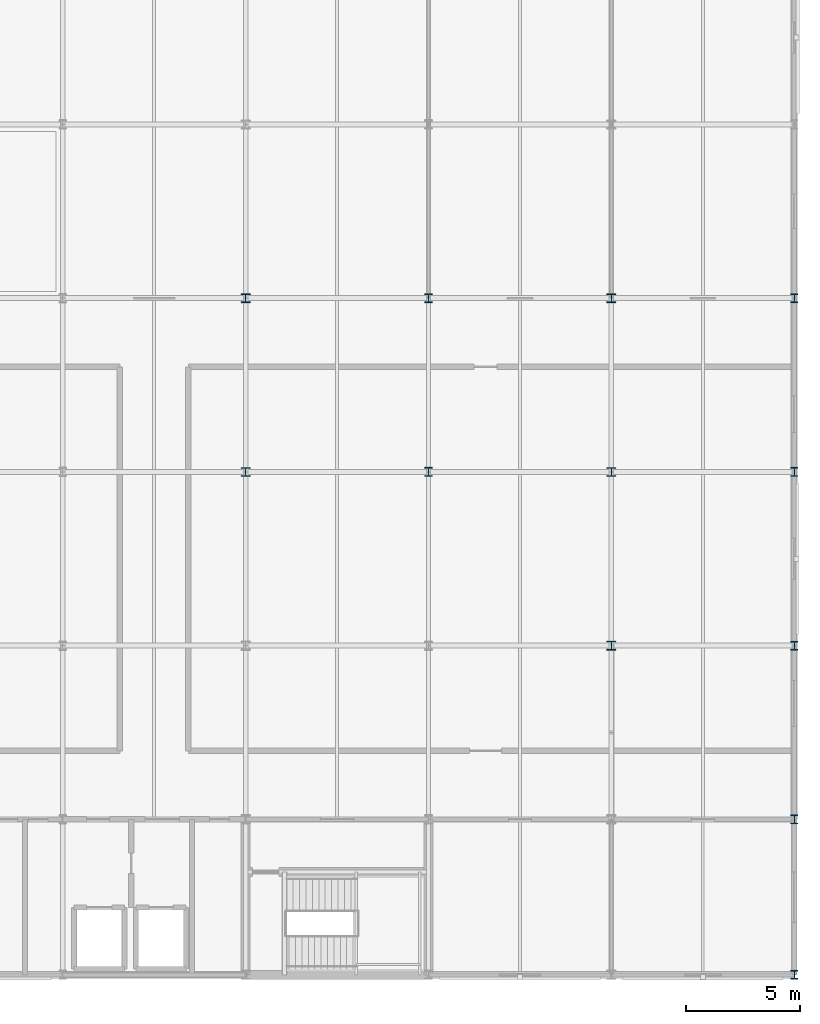
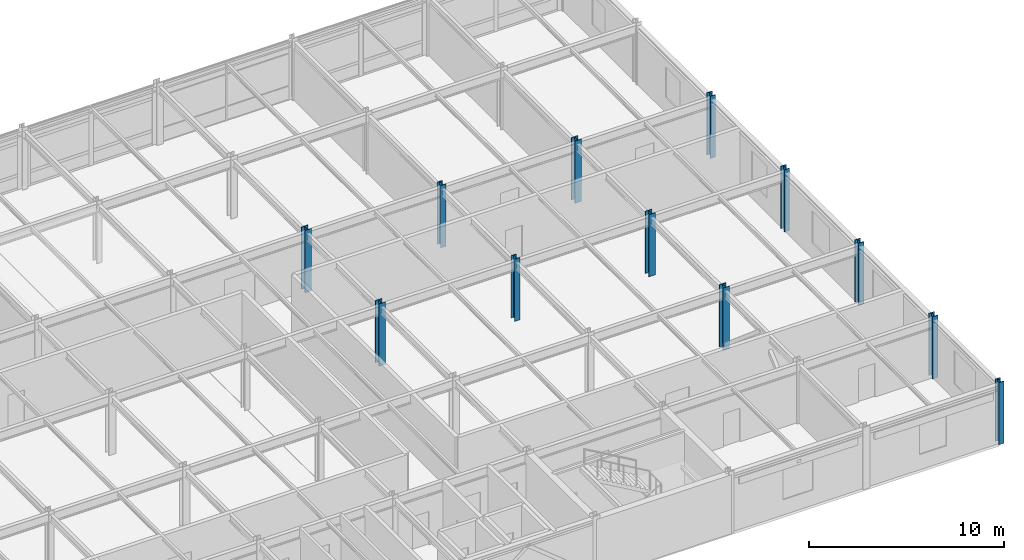
# One storey, part 2 of 14: 12 columns.
"""IFC4 building model written with IfcOpenShell, lengths in metres."""

from ifc_helpers import new_model, si_unit, direction, frame, origin, origin_2d, place, context, subcontext, project, spatial, i_section, extrude, material, material_profile, profile_set, type_object, element, save


model = new_model("IFC4")

# Units and contexts
model_context = context("Model", 3, precision=1e-05, world=origin(), true_north=direction((0.0, 1.0)))
body_context = subcontext(model_context, "Body", "Model", "MODEL_VIEW")
ifc_project = project(units=[si_unit("LENGTHUNIT", "METRE"), si_unit("AREAUNIT", "SQUARE_METRE"), si_unit("VOLUMEUNIT", "CUBIC_METRE"), si_unit("PLANEANGLEUNIT", "RADIAN"), si_unit("MASSUNIT", "GRAM", prefix="KILO")], contexts=[model_context])

# Site, building, storey
site_placement = place(None, origin())
site = spatial("IfcSite", under=ifc_project, at=site_placement, CompositionType="ELEMENT")
building_placement = place(site_placement, origin())
building = spatial("IfcBuilding", under=site, at=building_placement, Name="Shalkamar Park Central Library", CompositionType="ELEMENT")
storey_placement = place(building_placement, frame((0.0, 0.0, 32.10009765625)))
storey = spatial("IfcBuildingStorey", under=building, at=storey_placement, Name="L08", CompositionType="ELEMENT", Elevation=32.10009765625)

# Columns
ifc_material = material(Name="Steel S355", Category="steel")
ifc_material_profile_1 = material_profile(ifc_material, i_section(OverallWidth=0.39794921875, OverallDepth=0.386962890625, WebThickness=0.02099609375, FlangeThickness=0.033203125, FilletRadius=0.014892578125, at=origin_2d()), Name="HD 400x262")
ifc_profile_set_1 = profile_set([ifc_material_profile_1], Name="Steel S355")
column_type_1 = type_object("IfcColumnType", Name="Column Steel HD400x262", PredefinedType="COLUMN", material=ifc_profile_set_1)
for number, where, z_axis, x_axis, name in (
    (1, (197.0, 270.39990234375, 0.0), (0.0, 0.0, 1.0), (1.0, 0.0, 0.0), "Column 11/E (L08)"),
    (2, (197.0, 278.0, 0.0), (0.0, 0.0, 1.0), (1.0, 0.0, 0.0), "Column 11/F (L08)"),
    (3, (213.0, 262.800048828125, 0.0), (0.0, 0.0, 1.0), (1.0, 0.0, 0.0), "Column 13/D (L08)"),
    (4, (213.0, 270.39990234375, 0.0), (0.0, 0.0, 1.0), (1.0, 0.0, 0.0), "Column 13/E (L08)"),
    (5, (213.0, 278.0, 0.0), (0.0, 0.0, 1.0), (1.0, 0.0, 0.0), "Column 13/F (L08)"),
):
    element("IfcColumn", number, at=place(storey_placement, frame(where, z_axis=z_axis, x_axis=x_axis)), inside=storey, type_object=column_type_1, Name=name, PredefinedType="COLUMN", context=body_context, shape_type="SweptSolid", body=[
        extrude(i_section(OverallWidth=0.39794921875, OverallDepth=0.386962890625, WebThickness=0.02099609375, FlangeThickness=0.033203125, FilletRadius=0.014892578125, at=origin_2d()), origin(), (0.0, 0.0, 1.0), 3.89990234375),
    ])
ifc_material_profile_2 = material_profile(ifc_material, i_section(OverallWidth=0.30810546875, OverallDepth=0.39501953125, WebThickness=0.02099609375, FlangeThickness=0.0400390625, FilletRadius=0.027099609375, at=origin_2d()), Name="HEM 360")
ifc_profile_set_2 = profile_set([ifc_material_profile_2], Name="Steel S355")
column_type_2 = type_object("IfcColumnType", Name="Column Steel HEM360", PredefinedType="COLUMN", material=ifc_profile_set_2)
for number, where, z_axis, x_axis, name in (
    (6, (205.0, 270.39990234375, 0.0), (0.0, 0.0, 1.0), (1.0, 0.0, 0.0), "Column 12/E (L08)"),
    (7, (205.0, 278.0, 0.0), (0.0, 0.0, 1.0), (1.0, 0.0, 0.0), "Column 12/F (L08)"),
    (8, (221.0, 248.39990234375, 0.0), (0.0, 0.0, 1.0), (1.0, 0.0, 0.0), "Column 14/B (L08)"),
    (9, (221.0, 255.199951171875, 0.0), (0.0, 0.0, 1.0), (1.0, 0.0, 0.0), "Column 14/C (L08)"),
    (10, (221.0, 262.800048828125, 0.0), (0.0, 0.0, 1.0), (1.0, 0.0, 0.0), "Column 14/D (L08)"),
    (11, (221.0, 270.39990234375, 0.0), (0.0, 0.0, 1.0), (1.0, 0.0, 0.0), "Column 14/E (L08)"),
    (12, (221.0, 278.0, 0.0), (0.0, 0.0, 1.0), (1.0, 0.0, 0.0), "Column 14/F (L08)"),
):
    element("IfcColumn", number, at=place(storey_placement, frame(where, z_axis=z_axis, x_axis=x_axis)), inside=storey, type_object=column_type_2, Name=name, PredefinedType="COLUMN", context=body_context, shape_type="SweptSolid", body=[
        extrude(i_section(OverallWidth=0.30810546875, OverallDepth=0.39501953125, WebThickness=0.02099609375, FlangeThickness=0.0400390625, FilletRadius=0.027099609375, at=origin_2d()), origin(), (0.0, 0.0, 1.0), 3.89990234375),
    ])

save(model, "model.ifc")
